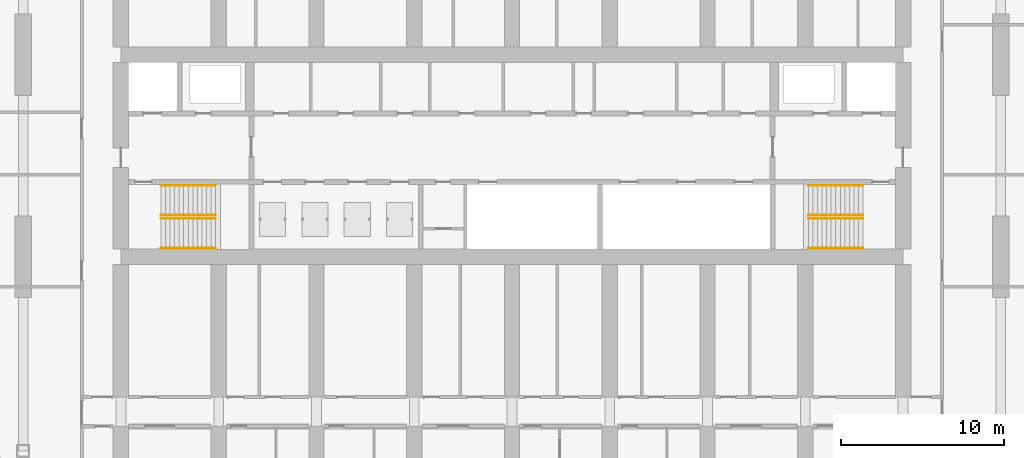
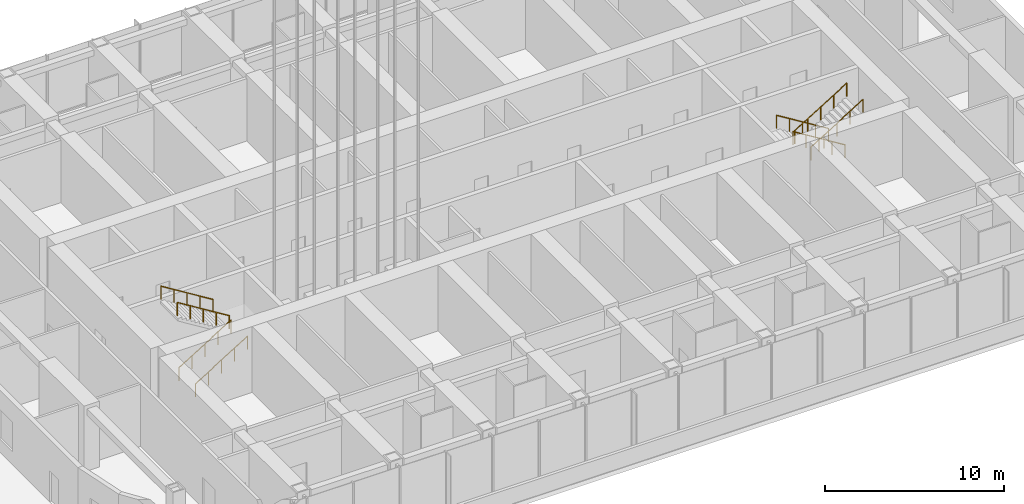
# One storey, part 23 of 32: 8 railings.
"""IFC4 building model written with IfcOpenShell, lengths in metres."""

from ifc_helpers import new_model, si_unit, direction, frame, origin, origin_2d, place, context, subcontext, project, spatial, circle, extrude, material, type_object, element, save


model = new_model("IFC4")

# Units and contexts
model_context = context("Model", 3, precision=1e-05, world=origin(), true_north=direction((0.0, 1.0)))
body_context = subcontext(model_context, "Body", "Model", "MODEL_VIEW")
ifc_project = project(units=[si_unit("LENGTHUNIT", "METRE"), si_unit("AREAUNIT", "SQUARE_METRE"), si_unit("VOLUMEUNIT", "CUBIC_METRE"), si_unit("PLANEANGLEUNIT", "RADIAN"), si_unit("MASSUNIT", "GRAM", prefix="KILO")], contexts=[model_context])

# Site, building, storey
site_placement = place(None, origin())
site = spatial("IfcSite", under=ifc_project, at=site_placement, CompositionType="ELEMENT")
building_placement = place(site_placement, origin())
building = spatial("IfcBuilding", under=site, at=building_placement, Name="Orbita Commons", CompositionType="ELEMENT")
storey_placement = place(building_placement, frame((0.0, 0.0, 140.35009765625)))
storey = spatial("IfcBuildingStorey", under=building, at=storey_placement, Name="L34", CompositionType="ELEMENT", Elevation=140.35009765625)

# Railings
ifc_material = material(Name="Steel tube, painted", Category="steel")
railing_type = type_object("IfcRailingType", Name="Stair handrail steel tube 900", PredefinedType="HANDRAIL", material=ifc_material)
for number, where, name in (
    (1, (20.449951171875, 28.1650390625, 0.173095703125), "Stair S1 handrail L34 flight 1"),
    (2, (20.449951171875, 26.3349609375, 0.173095703125), "Stair S1 handrail L34 flight 1"),
):
    element("IfcRailing", number, at=place(storey_placement, frame(where)), inside=storey, type_object=railing_type, Name=name, PredefinedType="HANDRAIL", context=body_context, shape_type="SweptSolid", body=[
        extrude(circle(Radius=0.02099609375, at=origin_2d()), frame((0.0, 0.0, 0.87890625), z_axis=(0.850623216509, 0.0, 0.525775754039), x_axis=(0.0, 1.0, 0.0)), (0.0, 0.0, 1.0), 3.9501953125),
        extrude(circle(Radius=0.02001953125, at=origin_2d()), origin(), (0.0, 0.0, 1.0), 0.85791015625),
        extrude(circle(Radius=0.02001953125, at=origin_2d()), frame((0.840087890625, 0.0, 0.519287109375)), (0.0, 0.0, 1.0), 0.85791015625),
        extrude(circle(Radius=0.02001953125, at=origin_2d()), frame((1.68017578125, 0.0, 1.03857421875)), (0.0, 0.0, 1.0), 0.85791015625),
        extrude(circle(Radius=0.02001953125, at=origin_2d()), frame((2.52001953125, 0.0, 1.5576171875)), (0.0, 0.0, 1.0), 0.85791015625),
        extrude(circle(Radius=0.02001953125, at=origin_2d()), frame((3.360107421875, 0.0, 2.076904296875)), (0.0, 0.0, 1.0), 0.85791015625),
    ])
for number, where, name in (
    (3, (23.81005859375, 28.360107421875, 2.423095703125), "Stair S1 handrail L34 flight 2"),
    (4, (23.81005859375, 30.18994140625, 2.423095703125), "Stair S1 handrail L34 flight 2"),
    (5, (63.550048828125, 28.360107421875, 0.173095703125), "Stair S2 handrail L34 flight 1"),
    (6, (63.550048828125, 30.18994140625, 0.173095703125), "Stair S2 handrail L34 flight 1"),
):
    element("IfcRailing", number, at=place(storey_placement, frame(where)), inside=storey, type_object=railing_type, Name=name, PredefinedType="HANDRAIL", context=body_context, shape_type="SweptSolid", body=[
        extrude(circle(Radius=0.02099609375, at=origin_2d()), frame((0.0, 0.0, 0.87890625), z_axis=(-0.850623216509, 0.0, 0.525775754039), x_axis=(0.0, -1.0, 0.0)), (0.0, 0.0, 1.0), 3.9501953125),
        extrude(circle(Radius=0.02001953125, at=origin_2d()), origin(), (0.0, 0.0, 1.0), 0.85791015625),
        extrude(circle(Radius=0.02001953125, at=origin_2d()), frame((-0.840087890625, 0.0, 0.519287109375)), (0.0, 0.0, 1.0), 0.85791015625),
        extrude(circle(Radius=0.02001953125, at=origin_2d()), frame((-1.68017578125, 0.0, 1.03857421875)), (0.0, 0.0, 1.0), 0.85791015625),
        extrude(circle(Radius=0.02001953125, at=origin_2d()), frame((-2.52001953125, 0.0, 1.5576171875)), (0.0, 0.0, 1.0), 0.85791015625),
        extrude(circle(Radius=0.02001953125, at=origin_2d()), frame((-3.360107421875, 0.0, 2.076904296875)), (0.0, 0.0, 1.0), 0.85791015625),
    ])
for number, where, name in (
    (7, (60.18994140625, 28.1650390625, 2.423095703125), "Stair S2 handrail L34 flight 2"),
    (8, (60.18994140625, 26.3349609375, 2.423095703125), "Stair S2 handrail L34 flight 2"),
):
    element("IfcRailing", number, at=place(storey_placement, frame(where)), inside=storey, type_object=railing_type, Name=name, PredefinedType="HANDRAIL", context=body_context, shape_type="SweptSolid", body=[
        extrude(circle(Radius=0.02099609375, at=origin_2d()), frame((0.0, 0.0, 0.87890625), z_axis=(0.850623216509, 0.0, 0.525775754039), x_axis=(0.0, 1.0, 0.0)), (0.0, 0.0, 1.0), 3.9501953125),
        extrude(circle(Radius=0.02001953125, at=origin_2d()), origin(), (0.0, 0.0, 1.0), 0.85791015625),
        extrude(circle(Radius=0.02001953125, at=origin_2d()), frame((0.840087890625, 0.0, 0.519287109375)), (0.0, 0.0, 1.0), 0.85791015625),
        extrude(circle(Radius=0.02001953125, at=origin_2d()), frame((1.68017578125, 0.0, 1.03857421875)), (0.0, 0.0, 1.0), 0.85791015625),
        extrude(circle(Radius=0.02001953125, at=origin_2d()), frame((2.52001953125, 0.0, 1.5576171875)), (0.0, 0.0, 1.0), 0.85791015625),
        extrude(circle(Radius=0.02001953125, at=origin_2d()), frame((3.360107421875, 0.0, 2.076904296875)), (0.0, 0.0, 1.0), 0.85791015625),
    ])

save(model, "model.ifc")
